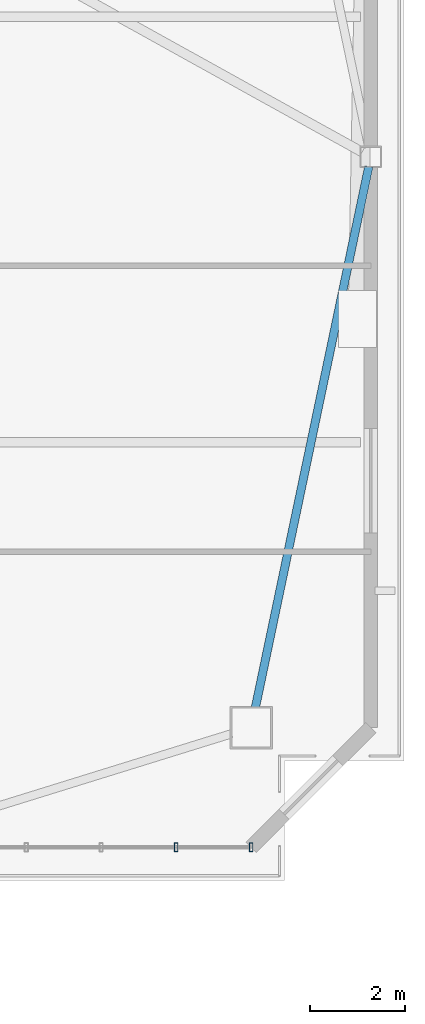
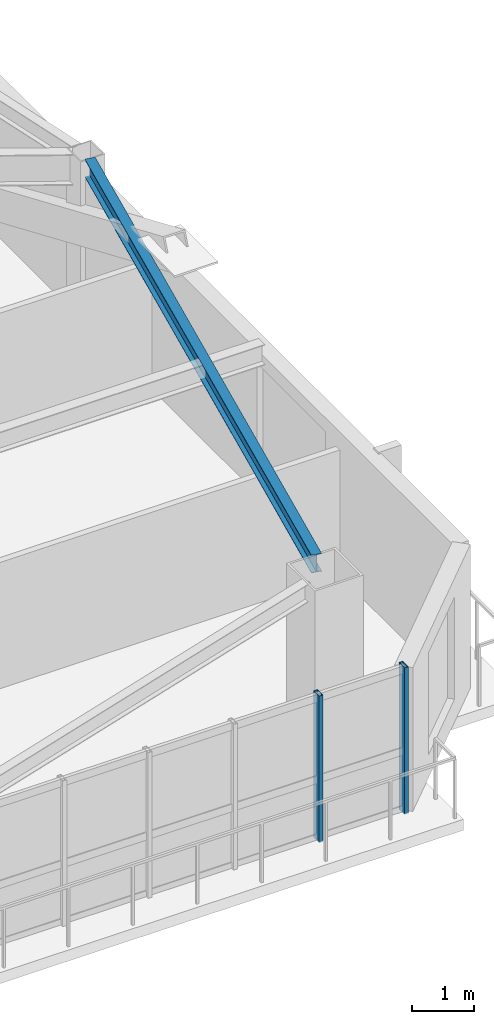
# One storey, part 6 of 16: 2 members, 1 beam, 1 element without a shape of its own.
"""IFC4 building model written with IfcOpenShell, lengths in metres."""

import ifcopenshell
import ifcopenshell.guid

model = None  # the IFC model being written
_history = None  # IfcOwnerHistory: only IFC2X3 demands one
_inside = {}  # id of a spatial element -> (the spatial element, [elements in it])
_under = {}  # id of a project, library or spatial element -> (it, [spatial elements below it])
_declared = {}  # id of a project -> (the project, [libraries it declares])
_typed = {}  # id of a type object -> (the type object, [elements of that type])
_made_of = {}  # id of a material, layer set ... -> (it, [elements and type objects made of it])


def new_model(schema):
    """Start an empty IFC model of exactly this schema.

    Asked for "IFC4X3", IfcOpenShell would pick the latest addendum, in which some entities
    have other attributes; the version numbers below select the first issue.
    IFC2X3 requires an IfcOwnerHistory on every rooted entity: one is made here for all.
    """
    global model, _history
    if schema == "IFC4X3":
        model = ifcopenshell.file(schema_version=(4, 3, 0, 0))
    else:
        model = ifcopenshell.file(schema=schema)
    _inside.clear()
    _under.clear()
    _declared.clear()
    _typed.clear()
    _made_of.clear()
    _history = None
    if model.schema == "IFC2X3":
        org = make("IfcOrganization", Name="unknown")
        user = make(
            "IfcPersonAndOrganization",
            ThePerson=make("IfcPerson", FamilyName="unknown"),
            TheOrganization=org,
        )
        app = make(
            "IfcApplication",
            ApplicationDeveloper=org,
            Version="unknown",
            ApplicationFullName="unknown",
            ApplicationIdentifier="unknown",
        )
        _history = make(
            "IfcOwnerHistory",
            OwningUser=user,
            OwningApplication=app,
            ChangeAction="ADDED",
            CreationDate=0,
        )
    return model


def make(cls, **values):
    """One entity of the class cls with the attributes given. An attribute that is None is left unset."""
    return model.create_entity(
        cls, **{name: value for name, value in values.items() if value is not None}
    )


def rooted(cls, **values):
    """An entity with a GlobalId (a new one), such as an element, a storey or a relation."""
    return make(cls, GlobalId=ifcopenshell.guid.new(), OwnerHistory=_history, **values)


def si_unit(unit_type, name, prefix=None):
    """IfcSIUnit, for example si_unit("LENGTHUNIT", "METRE", prefix="MILLI")."""
    return make("IfcSIUnit", UnitType=unit_type, Prefix=prefix, Name=name)


def assignment(units):
    """IfcUnitAssignment: the units of a project."""
    return None if units is None else make("IfcUnitAssignment", Units=units)


def point(xyz):
    """IfcCartesianPoint."""
    return None if xyz is None else make("IfcCartesianPoint", Coordinates=xyz)


def direction(xyz):
    """IfcDirection."""
    return None if xyz is None else make("IfcDirection", DirectionRatios=xyz)


def frame(location, z_axis=None, x_axis=None):
    """IfcAxis2Placement3D, a coordinate frame: its origin and axes. An axis left out is left unset."""
    return make(
        "IfcAxis2Placement3D",
        Location=point(location),
        Axis=direction(z_axis),
        RefDirection=direction(x_axis),
    )


def frame_2d(location, x_axis=None):
    """IfcAxis2Placement2D, a coordinate frame in the plane: its origin and x axis."""
    return make(
        "IfcAxis2Placement2D", Location=point(location), RefDirection=direction(x_axis)
    )


def origin():
    """The frame at (0, 0, 0) with its axes left unset."""
    return frame((0.0, 0.0, 0.0))


def origin_2d():
    """The frame at (0, 0) in the plane with its x axis left unset."""
    return frame_2d((0.0, 0.0))


def place(relative_to, where):
    """IfcLocalPlacement: puts the frame where relative to a parent placement (None: the world)."""
    return make(
        "IfcLocalPlacement", PlacementRelTo=relative_to, RelativePlacement=where
    )


def context(
    kind, dimensions, precision=None, world=None, true_north=None, identifier=None
):
    """IfcGeometricRepresentationContext, for example the 3D "Model" context."""
    return make(
        "IfcGeometricRepresentationContext",
        ContextIdentifier=identifier,
        ContextType=kind,
        CoordinateSpaceDimension=dimensions,
        Precision=precision,
        WorldCoordinateSystem=world,
        TrueNorth=true_north,
    )


def subcontext(parent, identifier, kind, view, scale=None):
    """IfcGeometricRepresentationSubContext, for example "Body" below "Model"."""
    return make(
        "IfcGeometricRepresentationSubContext",
        ContextIdentifier=identifier,
        ContextType=kind,
        ParentContext=parent,
        TargetScale=scale,
        TargetView=view,
    )


def project(units=None, contexts=None):
    """IfcProject with its units and contexts."""
    return rooted(
        "IfcProject",
        Name="project",
        RepresentationContexts=contexts,
        UnitsInContext=assignment(units),
    )


def spatial(cls, under=None, at=None, **own):
    """A site, building, storey or space (cls), placed at a placement, below another one or the project."""
    s = rooted(cls, ObjectPlacement=at, **own)
    if under is not None:
        _under.setdefault(under.id(), (under, []))[1].append(s)
    return s


def profile(cls, at=None, kind="AREA", **sizes):
    """A parametric profile (cls). Its sizes go by their IFC names, for example OverallWidth=200.0."""
    return make(cls, ProfileType=kind, Position=at, **sizes)


def hollow_rectangle(**sizes):
    """IfcRectangleHollowProfileDef."""
    return profile("IfcRectangleHollowProfileDef", **sizes)


def i_section(**sizes):
    """IfcIShapeProfileDef."""
    return profile("IfcIShapeProfileDef", **sizes)


def extrude(swept, where, along, depth):
    """IfcExtrudedAreaSolid: the profile swept, set in the frame where, extruded along a direction by depth."""
    return make(
        "IfcExtrudedAreaSolid",
        SweptArea=swept,
        Position=where,
        ExtrudedDirection=direction(along),
        Depth=depth,
    )


def shape(context_of_items, identifier, shape_type, items):
    """IfcShapeRepresentation: the items that make up one representation, for example the "Body"."""
    return make(
        "IfcShapeRepresentation",
        ContextOfItems=context_of_items,
        RepresentationIdentifier=identifier,
        RepresentationType=shape_type,
        Items=items,
    )


def source(mapping_origin, context_of_items, identifier, shape_type, items):
    """IfcRepresentationMap: a shape defined once, which mapped items show again and again."""
    return make(
        "IfcRepresentationMap",
        MappingOrigin=mapping_origin,
        MappedRepresentation=shape(context_of_items, identifier, shape_type, items),
    )


def transform(
    local_origin,
    x_axis=None,
    y_axis=None,
    z_axis=None,
    scale=None,
    scale2=None,
    scale3=None,
    uniform=True,
):
    """IfcCartesianTransformationOperator3D, or its non-uniform kind. x_axis, y_axis, z_axis: its Axis1, 2, 3."""
    if uniform:
        return make(
            "IfcCartesianTransformationOperator3D",
            Axis1=direction(x_axis),
            Axis2=direction(y_axis),
            LocalOrigin=point(local_origin),
            Scale=scale,
            Axis3=direction(z_axis),
        )
    return make(
        "IfcCartesianTransformationOperator3DnonUniform",
        Axis1=direction(x_axis),
        Axis2=direction(y_axis),
        LocalOrigin=point(local_origin),
        Scale=scale,
        Axis3=direction(z_axis),
        Scale2=scale2,
        Scale3=scale3,
    )


def mapped(mapping_source, mapping_target):
    """IfcMappedItem: shows the shape of a source again, moved by a transform."""
    return make(
        "IfcMappedItem", MappingSource=mapping_source, MappingTarget=mapping_target
    )


def material(Name=None, Category=None):
    """IfcMaterial."""
    return make("IfcMaterial", Name=Name, Category=Category)


def layer(
    of_material, thickness, ventilated=None, Name=None, Category=None, Priority=None
):
    """IfcMaterialLayer: one layer of a wall or slab, of a material (None: an air gap)."""
    return make(
        "IfcMaterialLayer",
        Material=of_material,
        LayerThickness=thickness,
        IsVentilated=ventilated,
        Name=Name,
        Category=Category,
        Priority=Priority,
    )


def layer_set(layers, Name=None):
    """IfcMaterialLayerSet."""
    return make("IfcMaterialLayerSet", MaterialLayers=layers, LayerSetName=Name)


def material_profile(
    of_material, cross_section, Name=None, Category=None, Priority=None
):
    """IfcMaterialProfile: a cross section and its material."""
    return make(
        "IfcMaterialProfile",
        Name=Name,
        Material=of_material,
        Profile=cross_section,
        Priority=Priority,
        Category=Category,
    )


def profile_set(profiles, Name=None, composite=None):
    """IfcMaterialProfileSet."""
    return make(
        "IfcMaterialProfileSet",
        Name=Name,
        MaterialProfiles=profiles,
        CompositeProfile=composite,
    )


def made_of(thing, what):
    """Note that an element or type object is made of a material, layer set ...; save() writes the relation."""
    if what is not None:
        _made_of.setdefault(what.id(), (what, []))[1].append(thing)
    return thing


def type_object(cls, material=None, **own):
    """A type object (cls), such as IfcWallType, which elements share."""
    return made_of(rooted(cls, **own), material)


def element(
    cls,
    number,
    at=None,
    inside=None,
    cuts=None,
    type_object=None,
    material=None,
    context=None,
    identifier="Body",
    shape_type=None,
    held_by="IfcProductDefinitionShape",
    body=None,
    shapes=None,
    **own,
):
    """One element of the class cls, such as IfcWall. Its Tag is "e" and its number.

    at: its placement. inside: the storey or other place that contains it. cuts: it is an
    opening in that element (IfcRelVoidsElement). A single representation is given by context,
    identifier, shape_type and body (its items); several are given by shapes. held_by: the class
    of the entity that holds the representations. save() writes the other relations.
    """
    e = rooted(cls, Tag="e%d" % number, ObjectPlacement=at, **own)
    if body is not None:
        shapes = [shape(context, identifier, shape_type, body)]
    if shapes is not None:
        e.Representation = make(held_by, Representations=shapes)
    if inside is not None:
        _inside.setdefault(inside.id(), (inside, []))[1].append(e)
    if cuts is not None:
        rooted(
            "IfcRelVoidsElement", RelatingBuildingElement=cuts, RelatedOpeningElement=e
        )
    if type_object is not None:
        _typed.setdefault(type_object.id(), (type_object, []))[1].append(e)
    return made_of(e, material)


def aggregate(whole, parts):
    """IfcRelAggregates: a whole, such as a stair, and the parts it consists of."""
    return rooted("IfcRelAggregates", RelatingObject=whole, RelatedObjects=parts)


def save(model, path):
    """Write the relations noted so far, then the file.

    IfcRelAggregates (storeys below a building ...), IfcRelContainedInSpatialStructure (elements
    in a storey), IfcRelDefinesByType, IfcRelAssociatesMaterial and IfcRelDeclares: one each for
    every whole, place, type object, material and project.
    """
    for whole, parts in _under.values():
        aggregate(whole, parts)
    for where, things in _inside.values():
        rooted(
            "IfcRelContainedInSpatialStructure",
            RelatedElements=things,
            RelatingStructure=where,
        )
    for kind, things in _typed.values():
        rooted("IfcRelDefinesByType", RelatedObjects=things, RelatingType=kind)
    for what, things in _made_of.values():
        rooted("IfcRelAssociatesMaterial", RelatedObjects=things, RelatingMaterial=what)
    for by, libraries in _declared.values():
        rooted("IfcRelDeclares", RelatingContext=by, RelatedDefinitions=libraries)
    model.write(path)


model = new_model("IFC4")

# Units and contexts
model_context = context("Model", 3, precision=1e-05, world=origin(), true_north=direction((0.0, 1.0)))
body_context = subcontext(model_context, "Body", "Model", "MODEL_VIEW")
ifc_project = project(units=[si_unit("LENGTHUNIT", "METRE"), si_unit("AREAUNIT", "SQUARE_METRE"), si_unit("VOLUMEUNIT", "CUBIC_METRE"), si_unit("PLANEANGLEUNIT", "RADIAN"), si_unit("MASSUNIT", "GRAM", prefix="KILO")], contexts=[model_context])

# Site, building, storey
site_placement = place(None, origin())
site = spatial("IfcSite", under=ifc_project, at=site_placement, CompositionType="ELEMENT")
building_placement = place(site_placement, origin())
building = spatial("IfcBuilding", under=site, at=building_placement, Name="Giltprow Tower", CompositionType="ELEMENT")
storey_placement = place(building_placement, frame((0.0, 0.0, 272.300048828125)))
storey = spatial("IfcBuildingStorey", under=building, at=storey_placement, Name="L70", CompositionType="ELEMENT", Elevation=272.300048828125)

# Beam
ifc_material_1 = material(Name="Structural steel Q355B", Category="steel")
ifc_material_profile_1 = material_profile(ifc_material_1, i_section(OverallWidth=0.175048828125, OverallDepth=0.35009765625, WebThickness=0.007080078125, FlangeThickness=0.010986328125, at=origin_2d()), Name="HN 350x175x7x11")
ifc_profile_set_1 = profile_set([ifc_material_profile_1], Name="Structural steel Q355B")
beam_type = type_object("IfcBeamType", Name="BM-SPAN-HN350", PredefinedType="SPANDREL", material=ifc_profile_set_1)
shared_shape_1 = source(origin(), body_context, "Body", "SweptSolid", [
    extrude(i_section(OverallWidth=0.175048828125, OverallDepth=0.35009765625, WebThickness=0.007080078125, FlangeThickness=0.010986328125, at=origin_2d()), origin(), (0.0, 0.0, 1.0), 11.65478515625),
])
beam_placement = place(storey_placement, frame((58.77294921875, 19.925048828125, 3.010009765625), z_axis=(0.205159502565, 0.978728552004, 0.0), x_axis=(-0.978728552004, 0.205159502565, 0.0)))
element("IfcBeam", 1, at=beam_placement, inside=storey, type_object=beam_type, Name="L70 Perimeter Spandrel Beam MC_SE-E_MID", PredefinedType="SPANDREL", context=body_context, shape_type="MappedRepresentation", body=[
    mapped(shared_shape_1, transform((0.0, 0.0, 0.0), x_axis=(1.0, 0.0, 0.0), y_axis=(0.0, 1.0, 0.0), z_axis=(0.0, 0.0, 1.0), scale=1.0)),
])

# Curtain wall, members
ifc_material_2 = material(Name="Anodized bronze", Category="metal")
ifc_layer = layer(ifc_material_2, 0.179931640625, Name="Anodized bronze")
ifc_layer_set = layer_set([ifc_layer], Name="Anodized bronze")
curtain_wall_type = type_object("IfcCurtainWallType", Name="CW-RES-SKY", PredefinedType="NOTDEFINED", material=ifc_layer_set)
curtain_wall_placement = place(storey_placement, origin())
curtain_wall = element("IfcCurtainWall", 2, at=curtain_wall_placement, inside=storey, type_object=curtain_wall_type, Name="L70 South Recessed Curtain Wall 6", PredefinedType="NOTDEFINED")
ifc_material_profile_2 = material_profile(ifc_material_2, hollow_rectangle(XDim=0.074951171875, YDim=0.179931640625, WallThickness=0.008056640625, at=origin_2d()), Name="RHS 180x75x8")
ifc_profile_set_2 = profile_set([ifc_material_profile_2], Name="Anodized bronze")
member_type = type_object("IfcMemberType", Name="CW-MULLION-180x75", PredefinedType="MULLION", material=ifc_profile_set_2)
shared_shape_2 = source(origin(), body_context, "Body", "SweptSolid", [
    extrude(hollow_rectangle(XDim=0.074951171875, YDim=0.179931640625, WallThickness=0.008056640625, at=origin_2d()), origin(), (0.0, 0.0, 1.0), 2.869873046875),
])
member_1_placement = place(storey_placement, frame((57.10205078125, 16.97607421875, -0.02001953125), z_axis=(0.0, 0.0, 1.0), x_axis=(1.0, 0.0, 0.0)))
member_1 = element("IfcMember", 3, at=member_1_placement, type_object=member_type, Name="L70 South Recessed Curtain Wall 6 Mullion 5", PredefinedType="MULLION", context=body_context, shape_type="MappedRepresentation", body=[
    mapped(shared_shape_2, transform((0.0, 0.0, 0.0), x_axis=(1.0, 0.0, 0.0), y_axis=(0.0, 1.0, 0.0), z_axis=(0.0, 0.0, 1.0), scale=1.0)),
])
member_2_placement = place(storey_placement, frame((58.68408203125, 16.97607421875, -0.02001953125), z_axis=(0.0, 0.0, 1.0), x_axis=(1.0, 0.0, 0.0)))
member_2 = element("IfcMember", 4, at=member_2_placement, type_object=member_type, Name="L70 South Recessed Curtain Wall 6 Mullion 6", PredefinedType="MULLION", context=body_context, shape_type="MappedRepresentation", body=[
    mapped(shared_shape_2, transform((0.0, 0.0, 0.0), x_axis=(1.0, 0.0, 0.0), y_axis=(0.0, 1.0, 0.0), z_axis=(0.0, 0.0, 1.0), scale=1.0)),
])
aggregate(curtain_wall, [member_1, member_2])

save(model, "model.ifc")
